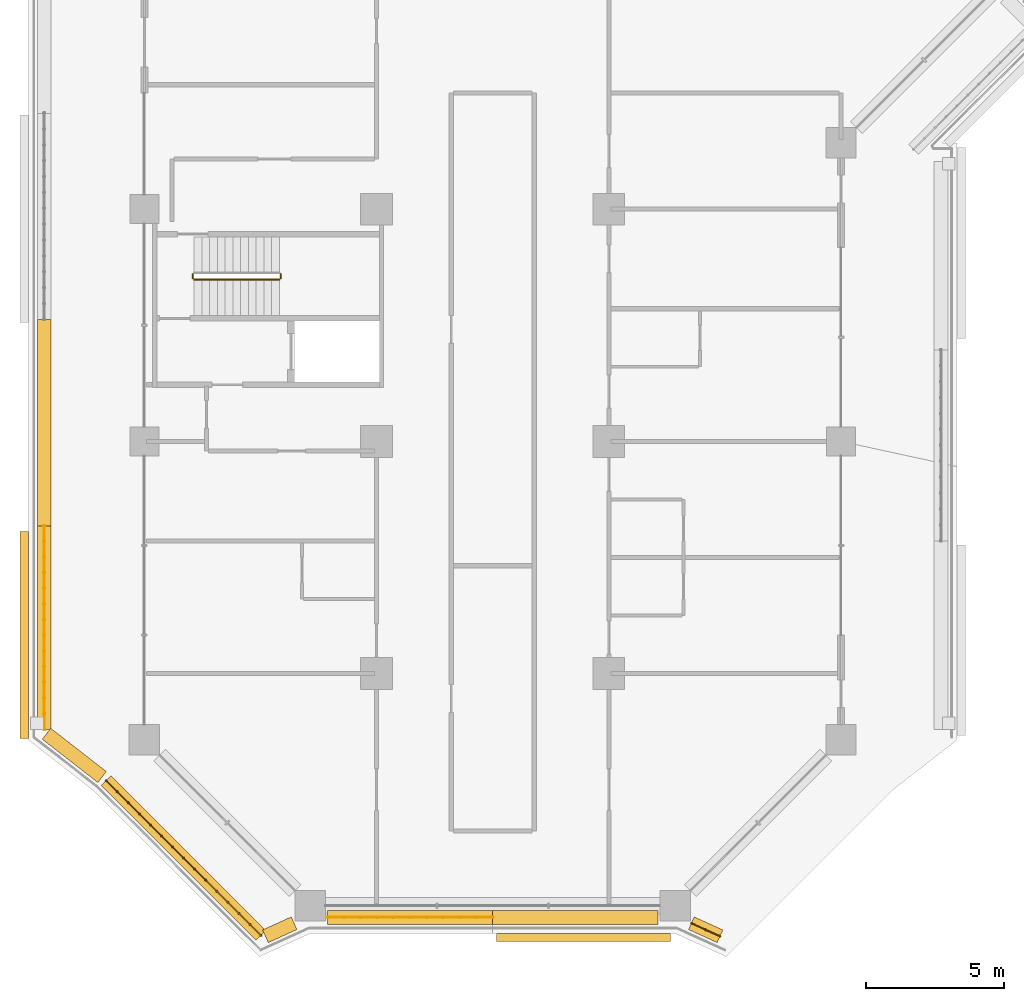
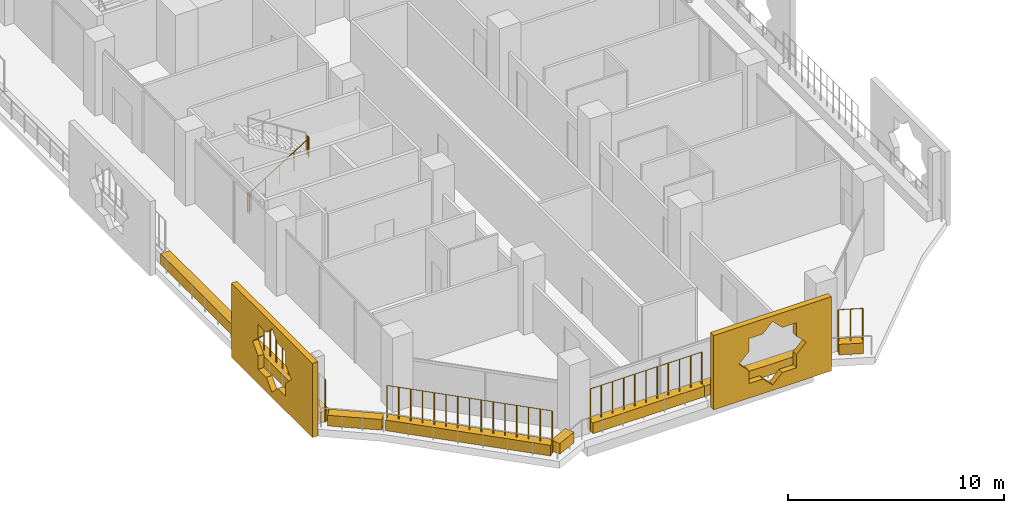
# One storey, part 20 of 27: 10 coverings, 7 railings.
"""IFC4 building model written with IfcOpenShell, lengths in metres."""

from ifc_helpers import new_model, si_unit, direction, frame, origin, origin_2d, place, context, subcontext, project, spatial, polyline, rectangle, circle, outline, extrude, material, material_profile, profile_set, type_object, element, save


model = new_model("IFC4")

# Units and contexts
model_context = context("Model", 3, precision=1e-05, world=origin(), true_north=direction((0.0, 1.0)))
body_context = subcontext(model_context, "Body", "Model", "MODEL_VIEW")
ifc_project = project(units=[si_unit("LENGTHUNIT", "METRE"), si_unit("AREAUNIT", "SQUARE_METRE"), si_unit("VOLUMEUNIT", "CUBIC_METRE"), si_unit("PLANEANGLEUNIT", "RADIAN"), si_unit("MASSUNIT", "GRAM", prefix="KILO")], contexts=[model_context])

# Site, building, storey
site_placement = place(None, origin())
site = spatial("IfcSite", under=ifc_project, at=site_placement, CompositionType="ELEMENT")
building_placement = place(site_placement, origin())
building = spatial("IfcBuilding", under=site, at=building_placement, Name="Kawkab Arch Medical Tower", CompositionType="ELEMENT")
storey_placement = place(building_placement, frame((0.0, 0.0, 115.60009765625)))
storey = spatial("IfcBuildingStorey", under=building, at=storey_placement, Name="L26", CompositionType="ELEMENT", Elevation=115.60009765625)

# Coverings
ifc_material_1 = material(Name="Bronze anodised aluminium mashrabiya panel, eight-point star pattern", Category="aluminium")
ifc_material_profile_1 = material_profile(ifc_material_1, outline(polyline([(-3.14990234375, -2.10009765625), (3.14990234375, -2.10009765625), (3.14990234375, 2.10009765625), (-3.14990234375, 2.10009765625), (-3.14990234375, -2.10009765625)]), holes=[polyline([(1.800048828125, 0.0), (1.272705078125, 0.527099609375), (1.272705078125, 1.272705078125), (0.527099609375, 1.272705078125), (0.0, 1.800048828125), (-0.527099609375, 1.272705078125), (-1.272705078125, 1.272705078125), (-1.272705078125, 0.527099609375), (-1.800048828125, 0.0), (-1.272705078125, -0.527099609375), (-1.272705078125, -1.272705078125), (-0.527099609375, -1.272705078125), (0.0, -1.800048828125), (0.527099609375, -1.272705078125), (1.272705078125, -1.272705078125), (1.272705078125, -0.527099609375), (1.800048828125, 0.0)])]), Name="Mashrabiya panel 6300x4200")
ifc_profile_set_1 = profile_set([ifc_material_profile_1], Name="Bronze anodised aluminium mashrabiya panel, eight-point star pattern")
covering_type_1 = type_object("IfcCoveringType", Name="Mashrabiya panel 6300 x 4200", PredefinedType="USERDEFINED", material=ifc_profile_set_1)
covering_1_placement = place(storey_placement, frame((15.881103515625, -59.800048828125, 1.699951171875), z_axis=(0.0, -1.0, 0.0), x_axis=(1.0, 0.0, 0.0)))
element("IfcCovering", 1, at=covering_1_placement, inside=storey, type_object=covering_type_1, Name="Mashrabiya panel L26.LOG-01-01.1", ObjectType="SCREEN", PredefinedType="USERDEFINED", context=body_context, shape_type="SweptSolid", body=[
    extrude(outline(polyline([(-3.14990234375, -2.10009765625), (3.14990234375, -2.10009765625), (3.14990234375, 2.10009765625), (-3.14990234375, 2.10009765625), (-3.14990234375, -2.10009765625)]), holes=[polyline([(1.800048828125, 0.0), (1.272705078125, 0.527099609375), (1.272705078125, 1.272705078125), (0.527099609375, 1.272705078125), (0.0, 1.800048828125), (-0.527099609375, 1.272705078125), (-1.272705078125, 1.272705078125), (-1.272705078125, 0.527099609375), (-1.800048828125, 0.0), (-1.272705078125, -0.527099609375), (-1.272705078125, -1.272705078125), (-0.527099609375, -1.272705078125), (0.0, -1.800048828125), (0.527099609375, -1.272705078125), (1.272705078125, -1.272705078125), (1.272705078125, -0.527099609375), (1.800048828125, 0.0)])]), origin(), (0.0, 0.0, 1.0), 0.300048828125),
])
ifc_material_2 = material(Name="Bronze anodised aluminium mashrabiya panel, eight-point star pattern", Category="aluminium")
ifc_material_profile_2 = material_profile(ifc_material_2, outline(polyline([(-3.75, -2.10009765625), (3.75, -2.10009765625), (3.75, 2.10009765625), (-3.75, 2.10009765625), (-3.75, -2.10009765625)]), holes=[polyline([(1.800048828125, 0.0), (1.272705078125, 0.527099609375), (1.272705078125, 1.272705078125), (0.527099609375, 1.272705078125), (0.0, 1.800048828125), (-0.527099609375, 1.272705078125), (-1.272705078125, 1.272705078125), (-1.272705078125, 0.527099609375), (-1.800048828125, 0.0), (-1.272705078125, -0.527099609375), (-1.272705078125, -1.272705078125), (-0.527099609375, -1.272705078125), (0.0, -1.800048828125), (0.527099609375, -1.272705078125), (1.272705078125, -1.272705078125), (1.272705078125, -0.527099609375), (1.800048828125, 0.0)])]), Name="Mashrabiya panel 7500x4200")
ifc_profile_set_2 = profile_set([ifc_material_profile_2], Name="Bronze anodised aluminium mashrabiya panel, eight-point star pattern")
covering_type_2 = type_object("IfcCoveringType", Name="Mashrabiya panel 7500 x 4200", PredefinedType="USERDEFINED", material=ifc_profile_set_2)
covering_2_placement = place(storey_placement, frame((-4.199951171875, -49.00439453125, 1.699951171875), z_axis=(-1.0, 0.0, 0.0), x_axis=(0.0, -1.0, 0.0)))
element("IfcCovering", 2, at=covering_2_placement, inside=storey, type_object=covering_type_2, Name="Mashrabiya panel L26.LOG-01-01.2", ObjectType="SCREEN", PredefinedType="USERDEFINED", context=body_context, shape_type="SweptSolid", body=[
    extrude(outline(polyline([(-3.75, -2.10009765625), (3.75, -2.10009765625), (3.75, 2.10009765625), (-3.75, 2.10009765625), (-3.75, -2.10009765625)]), holes=[polyline([(1.800048828125, 0.0), (1.272705078125, 0.527099609375), (1.272705078125, 1.272705078125), (0.527099609375, 1.272705078125), (0.0, 1.800048828125), (-0.527099609375, 1.272705078125), (-1.272705078125, 1.272705078125), (-1.272705078125, 0.527099609375), (-1.800048828125, 0.0), (-1.272705078125, -0.527099609375), (-1.272705078125, -1.272705078125), (-0.527099609375, -1.272705078125), (0.0, -1.800048828125), (0.527099609375, -1.272705078125), (1.272705078125, -1.272705078125), (1.272705078125, -0.527099609375), (1.800048828125, 0.0)])]), origin(), (0.0, 0.0, 1.0), 0.300048828125),
])
ifc_material_3 = material(Name="Planting soil in a precast trough", Category="concrete")
ifc_material_profile_3 = material_profile(ifc_material_3, rectangle(XDim=0.5, YDim=0.60009765625, at=origin_2d()), Name="Trough 500x600")
ifc_profile_set_3 = profile_set([ifc_material_profile_3], Name="Planting soil in a precast trough")
covering_type_3 = type_object("IfcCoveringType", Name="Planter trough 500 x 600", PredefinedType="USERDEFINED", material=ifc_profile_set_3)
covering_3_placement = place(storey_placement, frame((20.821044921875, -59.902099609375, 0.2998046875), z_axis=(-0.909821891123, 0.414998947508, 0.0), x_axis=(-0.414998947508, -0.909821891123, 0.0)))
element("IfcCovering", 3, at=covering_3_placement, inside=storey, type_object=covering_type_3, Name="Planter L26.LOG-01-01.1", ObjectType="PLANTER", PredefinedType="USERDEFINED", context=body_context, shape_type="SweptSolid", body=[
    extrude(rectangle(XDim=0.5, YDim=0.60009765625, at=origin_2d()), origin(), (0.0, 0.0, 1.0), 1.1376953125),
])
covering_4_placement = place(storey_placement, frame((18.570068359375, -59.219970703125, 0.2998046875), z_axis=(-1.0, 0.0, 0.0), x_axis=(0.0, -1.0, 0.0)))
element("IfcCovering", 4, at=covering_4_placement, inside=storey, type_object=covering_type_3, Name="Planter L26.LOG-01-01.2", ObjectType="PLANTER", PredefinedType="USERDEFINED", context=body_context, shape_type="SweptSolid", body=[
    extrude(rectangle(XDim=0.5, YDim=0.60009765625, at=origin_2d()), origin(), (0.0, 0.0, 1.0), 5.969970703125),
])
covering_5_placement = place(storey_placement, frame((12.60009765625, -59.219970703125, 0.2998046875), z_axis=(-1.0, 0.0, 0.0), x_axis=(0.0, -1.0, 0.0)))
element("IfcCovering", 5, at=covering_5_placement, inside=storey, type_object=covering_type_3, Name="Planter L26.LOG-01-01.3", ObjectType="PLANTER", PredefinedType="USERDEFINED", context=body_context, shape_type="SweptSolid", body=[
    extrude(rectangle(XDim=0.5, YDim=0.60009765625, at=origin_2d()), origin(), (0.0, 0.0, 1.0), 5.97021484375),
])
covering_6_placement = place(storey_placement, frame((5.4140625, -59.429931640625, 0.2998046875), z_axis=(-0.909821891123, -0.414998947508, 0.0), x_axis=(0.414998947508, -0.909821891123, 0.0)))
element("IfcCovering", 6, at=covering_6_placement, inside=storey, type_object=covering_type_3, Name="Planter L26.LOG-01-01.4", ObjectType="PLANTER", PredefinedType="USERDEFINED", context=body_context, shape_type="SweptSolid", body=[
    extrude(rectangle(XDim=0.5, YDim=0.60009765625, at=origin_2d()), origin(), (0.0, 0.0, 1.0), 1.1376953125),
])
covering_7_placement = place(storey_placement, frame((4.217041015625, -59.873046875, 0.2998046875), z_axis=(-0.707106781187, 0.707106781187, 0.0), x_axis=(-0.707106781187, -0.707106781187, 0.0)))
element("IfcCovering", 7, at=covering_7_placement, inside=storey, type_object=covering_type_3, Name="Planter L26.LOG-01-01.5", ObjectType="PLANTER", PredefinedType="USERDEFINED", context=body_context, shape_type="SweptSolid", body=[
    extrude(rectangle(XDim=0.5, YDim=0.60009765625, at=origin_2d()), origin(), (0.0, 0.0, 1.0), 7.919677734375),
])
covering_8_placement = place(storey_placement, frame((-1.531982421875, -54.14111328125, 0.2998046875), z_axis=(-0.789228258436, 0.614099956103, 0.0), x_axis=(-0.614099956103, -0.789228258436, 0.0)))
element("IfcCovering", 8, at=covering_8_placement, inside=storey, type_object=covering_type_3, Name="Planter L26.LOG-01-01.6", ObjectType="PLANTER", PredefinedType="USERDEFINED", context=body_context, shape_type="SweptSolid", body=[
    extrude(rectangle(XDim=0.5, YDim=0.60009765625, at=origin_2d()), origin(), (0.0, 0.0, 1.0), 2.545654296875),
])
covering_9_placement = place(storey_placement, frame((-3.6201171875, -52.416015625, 0.2998046875), z_axis=(0.0, 1.0, 0.0), x_axis=(-1.0, 0.0, 0.0)))
element("IfcCovering", 9, at=covering_9_placement, inside=storey, type_object=covering_type_3, Name="Planter L26.LOG-01-01.7", ObjectType="PLANTER", PredefinedType="USERDEFINED", context=body_context, shape_type="SweptSolid", body=[
    extrude(rectangle(XDim=0.5, YDim=0.60009765625, at=origin_2d()), origin(), (0.0, 0.0, 1.0), 7.361083984375),
])
covering_10_placement = place(storey_placement, frame((-3.6201171875, -45.054931640625, 0.2998046875), z_axis=(0.0, 1.0, 0.0), x_axis=(-1.0, 0.0, 0.0)))
element("IfcCovering", 10, at=covering_10_placement, inside=storey, type_object=covering_type_3, Name="Planter L26.LOG-01-01.8", ObjectType="PLANTER", PredefinedType="USERDEFINED", context=body_context, shape_type="SweptSolid", body=[
    extrude(rectangle(XDim=0.5, YDim=0.60009765625, at=origin_2d()), origin(), (0.0, 0.0, 1.0), 7.4619140625),
])

# Railings
ifc_material_4 = material(Name="Bronze anodised aluminium trellis for climbing plants", Category="aluminium")
railing_type_1 = type_object("IfcRailingType", Name="Planting trellis 2400", PredefinedType="USERDEFINED", material=ifc_material_4)
railing_1_placement = place(storey_placement, frame((20.821044921875, -59.902099609375, 0.0)))
element("IfcRailing", 11, at=railing_1_placement, inside=storey, type_object=railing_type_1, Name="Planting trellis L26.LOG-01-01.1", ObjectType="TRELLIS", PredefinedType="USERDEFINED", context=body_context, shape_type="SweptSolid", body=[
    extrude(circle(Radius=0.01513671875, at=origin_2d()), frame((0.0, 0.0, 2.384765625), z_axis=(-0.909821891123, 0.414998947508, 0.0), x_axis=(-0.414998947508, -0.909821891123, 0.0)), (0.0, 0.0, 1.0), 1.1376953125),
    extrude(circle(Radius=0.030029296875, at=origin_2d()), origin(), (0.0, 0.0, 1.0), 2.369873046875),
    extrude(circle(Radius=0.030029296875, at=origin_2d()), frame((-0.517578125, 0.236083984375, 0.0)), (0.0, 0.0, 1.0), 2.369873046875),
    extrude(circle(Radius=0.030029296875, at=origin_2d()), frame((-1.03515625, 0.47216796875, 0.0)), (0.0, 0.0, 1.0), 2.369873046875),
])
railing_2_placement = place(storey_placement, frame((12.60009765625, -59.219970703125, 0.0)))
element("IfcRailing", 12, at=railing_2_placement, inside=storey, type_object=railing_type_1, Name="Planting trellis L26.LOG-01-01.3", ObjectType="TRELLIS", PredefinedType="USERDEFINED", context=body_context, shape_type="SweptSolid", body=[
    extrude(circle(Radius=0.01513671875, at=origin_2d()), frame((0.0, 0.0, 2.384765625), z_axis=(-1.0, 0.0, 0.0), x_axis=(0.0, -1.0, 0.0)), (0.0, 0.0, 1.0), 5.97021484375),
    extrude(circle(Radius=0.030029296875, at=origin_2d()), origin(), (0.0, 0.0, 1.0), 2.369873046875),
    extrude(circle(Radius=0.030029296875, at=origin_2d()), frame((-0.596923828125, 0.0, 0.0)), (0.0, 0.0, 1.0), 2.369873046875),
    extrude(circle(Radius=0.030029296875, at=origin_2d()), frame((-1.194091796875, 0.0, 0.0)), (0.0, 0.0, 1.0), 2.369873046875),
    extrude(circle(Radius=0.030029296875, at=origin_2d()), frame((-1.791015625, 0.0, 0.0)), (0.0, 0.0, 1.0), 2.369873046875),
    extrude(circle(Radius=0.030029296875, at=origin_2d()), frame((-2.38818359375, 0.0, 0.0)), (0.0, 0.0, 1.0), 2.369873046875),
    extrude(circle(Radius=0.030029296875, at=origin_2d()), frame((-2.985107421875, 0.0, 0.0)), (0.0, 0.0, 1.0), 2.369873046875),
    extrude(circle(Radius=0.030029296875, at=origin_2d()), frame((-3.58203125, 0.0, 0.0)), (0.0, 0.0, 1.0), 2.369873046875),
    extrude(circle(Radius=0.030029296875, at=origin_2d()), frame((-4.17919921875, 0.0, 0.0)), (0.0, 0.0, 1.0), 2.369873046875),
    extrude(circle(Radius=0.030029296875, at=origin_2d()), frame((-4.776123046875, 0.0, 0.0)), (0.0, 0.0, 1.0), 2.369873046875),
    extrude(circle(Radius=0.030029296875, at=origin_2d()), frame((-5.373291015625, 0.0, 0.0)), (0.0, 0.0, 1.0), 2.369873046875),
    extrude(circle(Radius=0.030029296875, at=origin_2d()), frame((-5.97021484375, 0.0, 0.0)), (0.0, 0.0, 1.0), 2.369873046875),
])
railing_3_placement = place(storey_placement, frame((4.217041015625, -59.873046875, 0.0)))
element("IfcRailing", 13, at=railing_3_placement, inside=storey, type_object=railing_type_1, Name="Planting trellis L26.LOG-01-01.5", ObjectType="TRELLIS", PredefinedType="USERDEFINED", context=body_context, shape_type="SweptSolid", body=[
    extrude(circle(Radius=0.01513671875, at=origin_2d()), frame((0.0, 0.0, 2.384765625), z_axis=(-0.707106781187, 0.707106781187, 0.0), x_axis=(-0.707106781187, -0.707106781187, 0.0)), (0.0, 0.0, 1.0), 7.919677734375),
    extrude(circle(Radius=0.030029296875, at=origin_2d()), origin(), (0.0, 0.0, 1.0), 2.369873046875),
    extrude(circle(Radius=0.030029296875, at=origin_2d()), frame((-0.39990234375, 0.39990234375, 0.0)), (0.0, 0.0, 1.0), 2.369873046875),
    extrude(circle(Radius=0.030029296875, at=origin_2d()), frame((-0.800048828125, 0.800048828125, 0.0)), (0.0, 0.0, 1.0), 2.369873046875),
    extrude(circle(Radius=0.030029296875, at=origin_2d()), frame((-1.199951171875, 1.199951171875, 0.0)), (0.0, 0.0, 1.0), 2.369873046875),
    extrude(circle(Radius=0.030029296875, at=origin_2d()), frame((-1.60009765625, 1.60009765625, 0.0)), (0.0, 0.0, 1.0), 2.369873046875),
    extrude(circle(Radius=0.030029296875, at=origin_2d()), frame((-2.0, 2.0, 0.0)), (0.0, 0.0, 1.0), 2.369873046875),
    extrude(circle(Radius=0.030029296875, at=origin_2d()), frame((-2.400146484375, 2.400146484375, 0.0)), (0.0, 0.0, 1.0), 2.369873046875),
    extrude(circle(Radius=0.030029296875, at=origin_2d()), frame((-2.800048828125, 2.800048828125, 0.0)), (0.0, 0.0, 1.0), 2.369873046875),
    extrude(circle(Radius=0.030029296875, at=origin_2d()), frame((-3.199951171875, 3.199951171875, 0.0)), (0.0, 0.0, 1.0), 2.369873046875),
    extrude(circle(Radius=0.030029296875, at=origin_2d()), frame((-3.60009765625, 3.60009765625, 0.0)), (0.0, 0.0, 1.0), 2.369873046875),
    extrude(circle(Radius=0.030029296875, at=origin_2d()), frame((-4.0, 4.0, 0.0)), (0.0, 0.0, 1.0), 2.369873046875),
    extrude(circle(Radius=0.030029296875, at=origin_2d()), frame((-4.400146484375, 4.400146484375, 0.0)), (0.0, 0.0, 1.0), 2.369873046875),
    extrude(circle(Radius=0.030029296875, at=origin_2d()), frame((-4.800048828125, 4.800048828125, 0.0)), (0.0, 0.0, 1.0), 2.369873046875),
    extrude(circle(Radius=0.030029296875, at=origin_2d()), frame((-5.2001953125, 5.2001953125, 0.0)), (0.0, 0.0, 1.0), 2.369873046875),
    extrude(circle(Radius=0.030029296875, at=origin_2d()), frame((-5.60009765625, 5.60009765625, 0.0)), (0.0, 0.0, 1.0), 2.369873046875),
])
railing_4_placement = place(storey_placement, frame((-3.6201171875, -52.416015625, 0.0)))
element("IfcRailing", 14, at=railing_4_placement, inside=storey, type_object=railing_type_1, Name="Planting trellis L26.LOG-01-01.7", ObjectType="TRELLIS", PredefinedType="USERDEFINED", context=body_context, shape_type="SweptSolid", body=[
    extrude(circle(Radius=0.01513671875, at=origin_2d()), frame((0.0, 0.0, 2.384765625), z_axis=(0.0, 1.0, 0.0), x_axis=(-1.0, 0.0, 0.0)), (0.0, 0.0, 1.0), 7.361083984375),
    extrude(circle(Radius=0.030029296875, at=origin_2d()), origin(), (0.0, 0.0, 1.0), 2.369873046875),
    extrude(circle(Radius=0.030029296875, at=origin_2d()), frame((0.0, 0.566162109375, 0.0)), (0.0, 0.0, 1.0), 2.369873046875),
    extrude(circle(Radius=0.030029296875, at=origin_2d()), frame((0.0, 1.132568359375, 0.0)), (0.0, 0.0, 1.0), 2.369873046875),
    extrude(circle(Radius=0.030029296875, at=origin_2d()), frame((0.0, 1.69873046875, 0.0)), (0.0, 0.0, 1.0), 2.369873046875),
    extrude(circle(Radius=0.030029296875, at=origin_2d()), frame((0.0, 2.264892578125, 0.0)), (0.0, 0.0, 1.0), 2.369873046875),
    extrude(circle(Radius=0.030029296875, at=origin_2d()), frame((0.0, 2.831298828125, 0.0)), (0.0, 0.0, 1.0), 2.369873046875),
    extrude(circle(Radius=0.030029296875, at=origin_2d()), frame((0.0, 3.3974609375, 0.0)), (0.0, 0.0, 1.0), 2.369873046875),
    extrude(circle(Radius=0.030029296875, at=origin_2d()), frame((0.0, 3.963623046875, 0.0)), (0.0, 0.0, 1.0), 2.369873046875),
    extrude(circle(Radius=0.030029296875, at=origin_2d()), frame((0.0, 4.52978515625, 0.0)), (0.0, 0.0, 1.0), 2.369873046875),
    extrude(circle(Radius=0.030029296875, at=origin_2d()), frame((0.0, 5.09619140625, 0.0)), (0.0, 0.0, 1.0), 2.369873046875),
    extrude(circle(Radius=0.030029296875, at=origin_2d()), frame((0.0, 5.662353515625, 0.0)), (0.0, 0.0, 1.0), 2.369873046875),
    extrude(circle(Radius=0.030029296875, at=origin_2d()), frame((0.0, 6.228515625, 0.0)), (0.0, 0.0, 1.0), 2.369873046875),
    extrude(circle(Radius=0.030029296875, at=origin_2d()), frame((0.0, 6.794921875, 0.0)), (0.0, 0.0, 1.0), 2.369873046875),
    extrude(circle(Radius=0.030029296875, at=origin_2d()), frame((0.0, 7.361083984375, 0.0)), (0.0, 0.0, 1.0), 2.369873046875),
])
ifc_material_5 = material(Name="Stainless steel", Category="steel")
railing_type_2 = type_object("IfcRailingType", Name="Stair guard 1100", PredefinedType="GUARDRAIL", material=ifc_material_5)
railing_5_placement = place(storey_placement, frame((1.800048828125, -36.14990234375, 0.1748046875)))
element("IfcRailing", 15, at=railing_5_placement, inside=storey, type_object=railing_type_2, Name="L26 ST6 stair guard 1", PredefinedType="GUARDRAIL", context=body_context, shape_type="SweptSolid", body=[
    extrude(circle(Radius=0.02392578125, at=origin_2d()), frame((0.0, 0.0, 1.076171875), z_axis=(0.847979421464, 0.0, 0.530029150871), x_axis=(0.0, 1.0, 0.0)), (0.0, 0.0, 1.0), 3.632080078125),
    extrude(circle(Radius=0.02099609375, at=origin_2d()), origin(), (0.0, 0.0, 1.0), 1.052001953125),
    extrude(circle(Radius=0.02099609375, at=origin_2d()), frame((0.77001953125, 0.0, 0.481201171875)), (0.0, 0.0, 1.0), 1.052001953125),
    extrude(circle(Radius=0.02099609375, at=origin_2d()), frame((1.5400390625, 0.0, 0.96240234375)), (0.0, 0.0, 1.0), 1.052001953125),
    extrude(circle(Radius=0.02099609375, at=origin_2d()), frame((2.309814453125, 0.0, 1.44384765625)), (0.0, 0.0, 1.0), 1.052001953125),
    extrude(circle(Radius=0.02099609375, at=origin_2d()), frame((3.079833984375, 0.0, 1.925048828125)), (0.0, 0.0, 1.0), 1.052001953125),
])
for number, where, name in (
    (16, (4.929931640625, -36.10009765625, 2.099853515625), "L26 ST6 stair guard 2"),
    (17, (1.75, -36.10009765625, 0.0), "L26 ST6 stair guard 4"),
):
    element("IfcRailing", number, at=place(storey_placement, frame(where)), inside=storey, type_object=railing_type_2, Name=name, PredefinedType="GUARDRAIL", context=body_context, shape_type="SweptSolid", body=[
        extrude(circle(Radius=0.02392578125, at=origin_2d()), frame((0.0, 0.0, 1.076171875), z_axis=(0.0, 1.0, 0.0), x_axis=(-1.0, 0.0, 0.0)), (0.0, 0.0, 1.0), 0.150146484375),
        extrude(circle(Radius=0.02099609375, at=origin_2d()), origin(), (0.0, 0.0, 1.0), 1.052001953125),
        extrude(circle(Radius=0.02099609375, at=origin_2d()), frame((0.0, 0.150146484375, 0.0)), (0.0, 0.0, 1.0), 1.052001953125),
    ])

save(model, "model.ifc")
